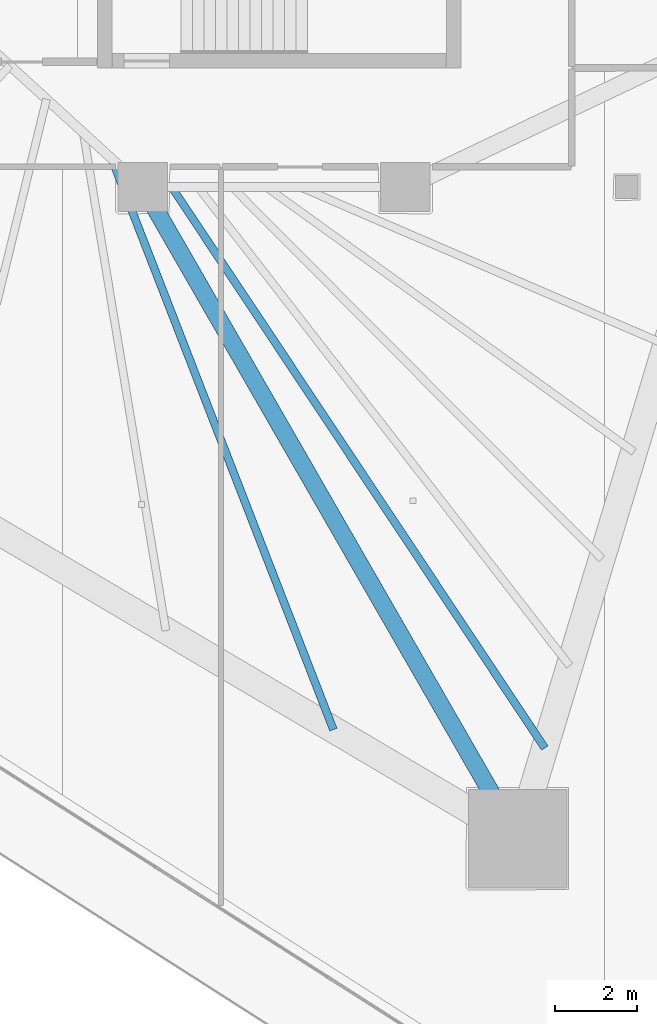
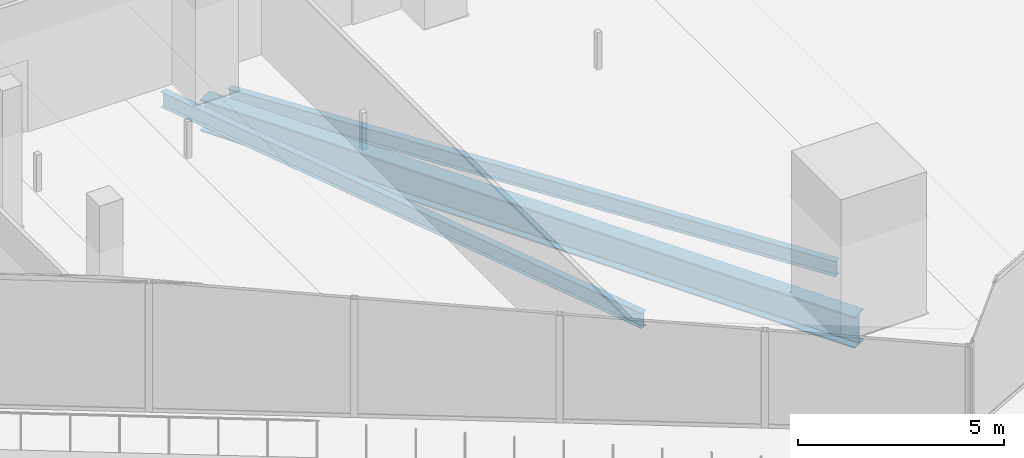
# One storey, part 9 of 44: 3 beams.
"""IFC4 building model written with IfcOpenShell, lengths in metres."""

import ifcopenshell
import ifcopenshell.guid

model = None  # the IFC model being written
_history = None  # IfcOwnerHistory: only IFC2X3 demands one
_inside = {}  # id of a spatial element -> (the spatial element, [elements in it])
_under = {}  # id of a project, library or spatial element -> (it, [spatial elements below it])
_declared = {}  # id of a project -> (the project, [libraries it declares])
_typed = {}  # id of a type object -> (the type object, [elements of that type])
_made_of = {}  # id of a material, layer set ... -> (it, [elements and type objects made of it])


def new_model(schema):
    """Start an empty IFC model of exactly this schema.

    Asked for "IFC4X3", IfcOpenShell would pick the latest addendum, in which some entities
    have other attributes; the version numbers below select the first issue.
    IFC2X3 requires an IfcOwnerHistory on every rooted entity: one is made here for all.
    """
    global model, _history
    if schema == "IFC4X3":
        model = ifcopenshell.file(schema_version=(4, 3, 0, 0))
    else:
        model = ifcopenshell.file(schema=schema)
    _inside.clear()
    _under.clear()
    _declared.clear()
    _typed.clear()
    _made_of.clear()
    _history = None
    if model.schema == "IFC2X3":
        org = make("IfcOrganization", Name="unknown")
        user = make(
            "IfcPersonAndOrganization",
            ThePerson=make("IfcPerson", FamilyName="unknown"),
            TheOrganization=org,
        )
        app = make(
            "IfcApplication",
            ApplicationDeveloper=org,
            Version="unknown",
            ApplicationFullName="unknown",
            ApplicationIdentifier="unknown",
        )
        _history = make(
            "IfcOwnerHistory",
            OwningUser=user,
            OwningApplication=app,
            ChangeAction="ADDED",
            CreationDate=0,
        )
    return model


def make(cls, **values):
    """One entity of the class cls with the attributes given. An attribute that is None is left unset."""
    return model.create_entity(
        cls, **{name: value for name, value in values.items() if value is not None}
    )


def rooted(cls, **values):
    """An entity with a GlobalId (a new one), such as an element, a storey or a relation."""
    return make(cls, GlobalId=ifcopenshell.guid.new(), OwnerHistory=_history, **values)


def si_unit(unit_type, name, prefix=None):
    """IfcSIUnit, for example si_unit("LENGTHUNIT", "METRE", prefix="MILLI")."""
    return make("IfcSIUnit", UnitType=unit_type, Prefix=prefix, Name=name)


def assignment(units):
    """IfcUnitAssignment: the units of a project."""
    return None if units is None else make("IfcUnitAssignment", Units=units)


def point(xyz):
    """IfcCartesianPoint."""
    return None if xyz is None else make("IfcCartesianPoint", Coordinates=xyz)


def direction(xyz):
    """IfcDirection."""
    return None if xyz is None else make("IfcDirection", DirectionRatios=xyz)


def frame(location, z_axis=None, x_axis=None):
    """IfcAxis2Placement3D, a coordinate frame: its origin and axes. An axis left out is left unset."""
    return make(
        "IfcAxis2Placement3D",
        Location=point(location),
        Axis=direction(z_axis),
        RefDirection=direction(x_axis),
    )


def frame_2d(location, x_axis=None):
    """IfcAxis2Placement2D, a coordinate frame in the plane: its origin and x axis."""
    return make(
        "IfcAxis2Placement2D", Location=point(location), RefDirection=direction(x_axis)
    )


def origin():
    """The frame at (0, 0, 0) with its axes left unset."""
    return frame((0.0, 0.0, 0.0))


def origin_2d():
    """The frame at (0, 0) in the plane with its x axis left unset."""
    return frame_2d((0.0, 0.0))


def place(relative_to, where):
    """IfcLocalPlacement: puts the frame where relative to a parent placement (None: the world)."""
    return make(
        "IfcLocalPlacement", PlacementRelTo=relative_to, RelativePlacement=where
    )


def context(
    kind, dimensions, precision=None, world=None, true_north=None, identifier=None
):
    """IfcGeometricRepresentationContext, for example the 3D "Model" context."""
    return make(
        "IfcGeometricRepresentationContext",
        ContextIdentifier=identifier,
        ContextType=kind,
        CoordinateSpaceDimension=dimensions,
        Precision=precision,
        WorldCoordinateSystem=world,
        TrueNorth=true_north,
    )


def subcontext(parent, identifier, kind, view, scale=None):
    """IfcGeometricRepresentationSubContext, for example "Body" below "Model"."""
    return make(
        "IfcGeometricRepresentationSubContext",
        ContextIdentifier=identifier,
        ContextType=kind,
        ParentContext=parent,
        TargetScale=scale,
        TargetView=view,
    )


def project(units=None, contexts=None):
    """IfcProject with its units and contexts."""
    return rooted(
        "IfcProject",
        Name="project",
        RepresentationContexts=contexts,
        UnitsInContext=assignment(units),
    )


def spatial(cls, under=None, at=None, **own):
    """A site, building, storey or space (cls), placed at a placement, below another one or the project."""
    s = rooted(cls, ObjectPlacement=at, **own)
    if under is not None:
        _under.setdefault(under.id(), (under, []))[1].append(s)
    return s


def profile(cls, at=None, kind="AREA", **sizes):
    """A parametric profile (cls). Its sizes go by their IFC names, for example OverallWidth=200.0."""
    return make(cls, ProfileType=kind, Position=at, **sizes)


def i_section(**sizes):
    """IfcIShapeProfileDef."""
    return profile("IfcIShapeProfileDef", **sizes)


def extrude(swept, where, along, depth):
    """IfcExtrudedAreaSolid: the profile swept, set in the frame where, extruded along a direction by depth."""
    return make(
        "IfcExtrudedAreaSolid",
        SweptArea=swept,
        Position=where,
        ExtrudedDirection=direction(along),
        Depth=depth,
    )


def shape(context_of_items, identifier, shape_type, items):
    """IfcShapeRepresentation: the items that make up one representation, for example the "Body"."""
    return make(
        "IfcShapeRepresentation",
        ContextOfItems=context_of_items,
        RepresentationIdentifier=identifier,
        RepresentationType=shape_type,
        Items=items,
    )


def material(Name=None, Category=None):
    """IfcMaterial."""
    return make("IfcMaterial", Name=Name, Category=Category)


def material_profile(
    of_material, cross_section, Name=None, Category=None, Priority=None
):
    """IfcMaterialProfile: a cross section and its material."""
    return make(
        "IfcMaterialProfile",
        Name=Name,
        Material=of_material,
        Profile=cross_section,
        Priority=Priority,
        Category=Category,
    )


def profile_set(profiles, Name=None, composite=None):
    """IfcMaterialProfileSet."""
    return make(
        "IfcMaterialProfileSet",
        Name=Name,
        MaterialProfiles=profiles,
        CompositeProfile=composite,
    )


def made_of(thing, what):
    """Note that an element or type object is made of a material, layer set ...; save() writes the relation."""
    if what is not None:
        _made_of.setdefault(what.id(), (what, []))[1].append(thing)
    return thing


def type_object(cls, material=None, **own):
    """A type object (cls), such as IfcWallType, which elements share."""
    return made_of(rooted(cls, **own), material)


def element(
    cls,
    number,
    at=None,
    inside=None,
    cuts=None,
    type_object=None,
    material=None,
    context=None,
    identifier="Body",
    shape_type=None,
    held_by="IfcProductDefinitionShape",
    body=None,
    shapes=None,
    **own,
):
    """One element of the class cls, such as IfcWall. Its Tag is "e" and its number.

    at: its placement. inside: the storey or other place that contains it. cuts: it is an
    opening in that element (IfcRelVoidsElement). A single representation is given by context,
    identifier, shape_type and body (its items); several are given by shapes. held_by: the class
    of the entity that holds the representations. save() writes the other relations.
    """
    e = rooted(cls, Tag="e%d" % number, ObjectPlacement=at, **own)
    if body is not None:
        shapes = [shape(context, identifier, shape_type, body)]
    if shapes is not None:
        e.Representation = make(held_by, Representations=shapes)
    if inside is not None:
        _inside.setdefault(inside.id(), (inside, []))[1].append(e)
    if cuts is not None:
        rooted(
            "IfcRelVoidsElement", RelatingBuildingElement=cuts, RelatedOpeningElement=e
        )
    if type_object is not None:
        _typed.setdefault(type_object.id(), (type_object, []))[1].append(e)
    return made_of(e, material)


def aggregate(whole, parts):
    """IfcRelAggregates: a whole, such as a stair, and the parts it consists of."""
    return rooted("IfcRelAggregates", RelatingObject=whole, RelatedObjects=parts)


def save(model, path):
    """Write the relations noted so far, then the file.

    IfcRelAggregates (storeys below a building ...), IfcRelContainedInSpatialStructure (elements
    in a storey), IfcRelDefinesByType, IfcRelAssociatesMaterial and IfcRelDeclares: one each for
    every whole, place, type object, material and project.
    """
    for whole, parts in _under.values():
        aggregate(whole, parts)
    for where, things in _inside.values():
        rooted(
            "IfcRelContainedInSpatialStructure",
            RelatedElements=things,
            RelatingStructure=where,
        )
    for kind, things in _typed.values():
        rooted("IfcRelDefinesByType", RelatedObjects=things, RelatingType=kind)
    for what, things in _made_of.values():
        rooted("IfcRelAssociatesMaterial", RelatedObjects=things, RelatingMaterial=what)
    for by, libraries in _declared.values():
        rooted("IfcRelDeclares", RelatingContext=by, RelatedDefinitions=libraries)
    model.write(path)


model = new_model("IFC4")

# Units and contexts
model_context = context("Model", 3, precision=1e-05, world=origin(), true_north=direction((0.0, 1.0)))
body_context = subcontext(model_context, "Body", "Model", "MODEL_VIEW")
ifc_project = project(units=[si_unit("LENGTHUNIT", "METRE"), si_unit("AREAUNIT", "SQUARE_METRE"), si_unit("VOLUMEUNIT", "CUBIC_METRE"), si_unit("PLANEANGLEUNIT", "RADIAN"), si_unit("MASSUNIT", "GRAM", prefix="KILO")], contexts=[model_context])

# Site, building, storey
site_placement = place(None, origin())
site = spatial("IfcSite", under=ifc_project, at=site_placement, CompositionType="ELEMENT")
building_placement = place(site_placement, origin())
building = spatial("IfcBuilding", under=site, at=building_placement, Name="Qorvath Tower", CompositionType="ELEMENT")
storey_placement = place(building_placement, frame((0.0, 0.0, 40.800048828125)))
storey = spatial("IfcBuildingStorey", under=building, at=storey_placement, Name="L08", CompositionType="ELEMENT", Elevation=40.800048828125)

# Beams
ifc_material_1 = material(Name="Steel ASTM A992 Grade 50", Category="steel")
ifc_material_profile_1 = material_profile(ifc_material_1, i_section(OverallWidth=0.422119140625, OverallDepth=0.93310546875, WebThickness=0.021240234375, FlangeThickness=0.039794921875, FilletRadius=0.02392578125, at=origin_2d()), Name="W36x262")
ifc_profile_set_1 = profile_set([ifc_material_profile_1], Name="Steel ASTM A992 Grade 50")
beam_type_1 = type_object("IfcBeamType", Name="BM-FG1", PredefinedType="BEAM", material=ifc_profile_set_1)
beam_1_placement = place(storey_placement, frame((-23.60009765625, -11.449951171875, -0.74658203125), z_axis=(0.498645367714, -0.866806089767, 0.0), x_axis=(0.866806089767, 0.498645367714, 0.0)))
element("IfcBeam", 1, at=beam_1_placement, inside=storey, type_object=beam_type_1, Name="Radial Floor Girder CC4-MC3 L08", PredefinedType="BEAM", context=body_context, shape_type="SweptSolid", body=[
    extrude(i_section(OverallWidth=0.422119140625, OverallDepth=0.93310546875, WebThickness=0.021240234375, FlangeThickness=0.039794921875, FilletRadius=0.02392578125, at=origin_2d()), origin(), (0.0, 0.0, 1.0), 18.321044921875),
])
ifc_material_2 = material(Name="Steel ASTM A992 Grade 50", Category="steel")
ifc_material_profile_2 = material_profile(ifc_material_2, i_section(OverallWidth=0.18994140625, OverallDepth=0.45703125, WebThickness=0.009033203125, FlangeThickness=0.014404296875, FilletRadius=0.011962890625, at=origin_2d()), Name="W18x50")
ifc_profile_set_2 = profile_set([ifc_material_profile_2], Name="Steel ASTM A992 Grade 50")
beam_type_2 = type_object("IfcBeamType", Name="BM-FJ2", PredefinedType="JOIST", material=ifc_profile_set_2)
beam_2_placement = place(storey_placement, frame((-22.89599609375, -11.449951171875, -0.508544921875), z_axis=(0.553811384989, -0.83264214994, 0.0), x_axis=(0.83264214994, 0.553811384989, 0.0)))
element("IfcBeam", 2, at=beam_2_placement, inside=storey, type_object=beam_type_2, Name="Composite Floor Joist SE7 L08", PredefinedType="JOIST", context=body_context, shape_type="SweptSolid", body=[
    extrude(i_section(OverallWidth=0.18994140625, OverallDepth=0.45703125, WebThickness=0.009033203125, FlangeThickness=0.014404296875, FilletRadius=0.011962890625, at=origin_2d()), origin(), (0.0, 0.0, 1.0), 16.42333984375),
])
beam_3_placement = place(storey_placement, frame((-24.35888671875, -10.757080078125, -0.508544921875), z_axis=(0.361964096586, -0.93219203643, 0.0), x_axis=(0.93219203643, 0.361964096586, 0.0)))
element("IfcBeam", 3, at=beam_3_placement, inside=storey, type_object=beam_type_2, Name="Composite Floor Joist SW7 L08", PredefinedType="JOIST", context=body_context, shape_type="SweptSolid", body=[
    extrude(i_section(OverallWidth=0.18994140625, OverallDepth=0.45703125, WebThickness=0.009033203125, FlangeThickness=0.014404296875, FilletRadius=0.011962890625, at=origin_2d()), origin(), (0.0, 0.0, 1.0), 14.93115234375),
])

save(model, "model.ifc")
